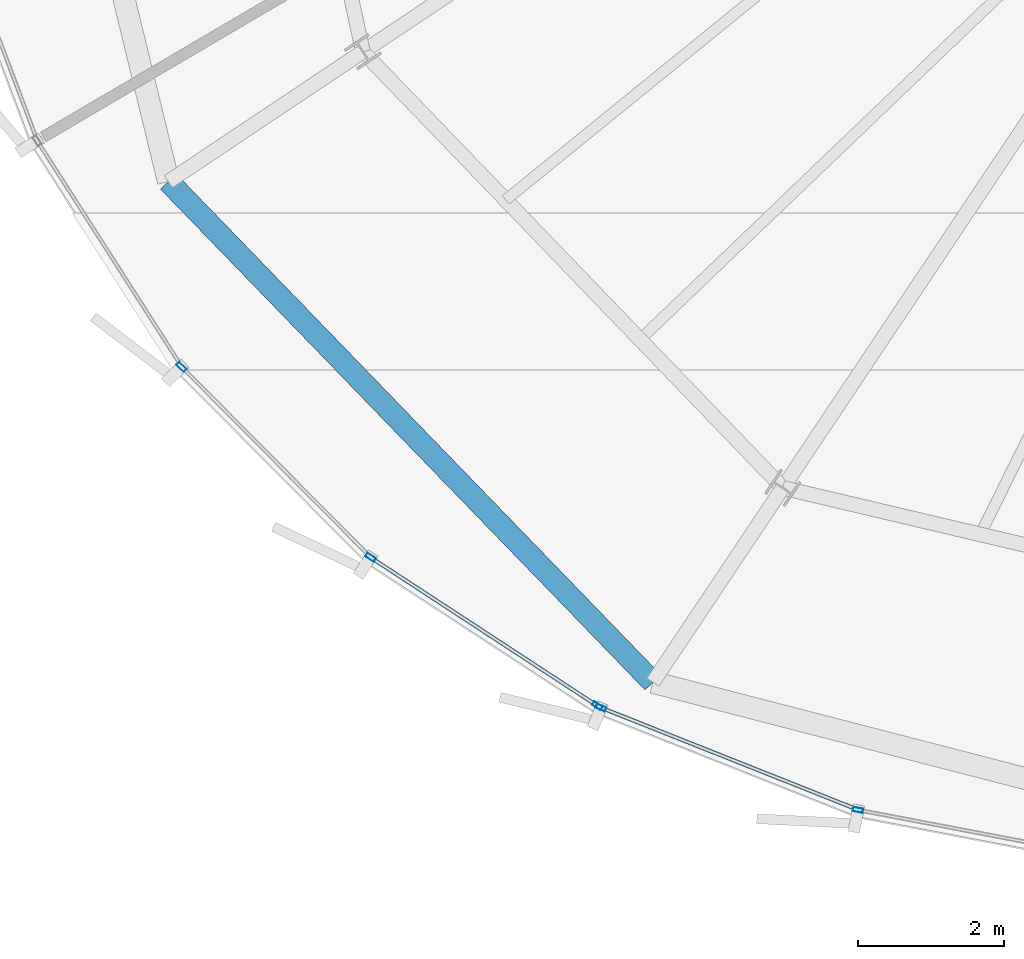
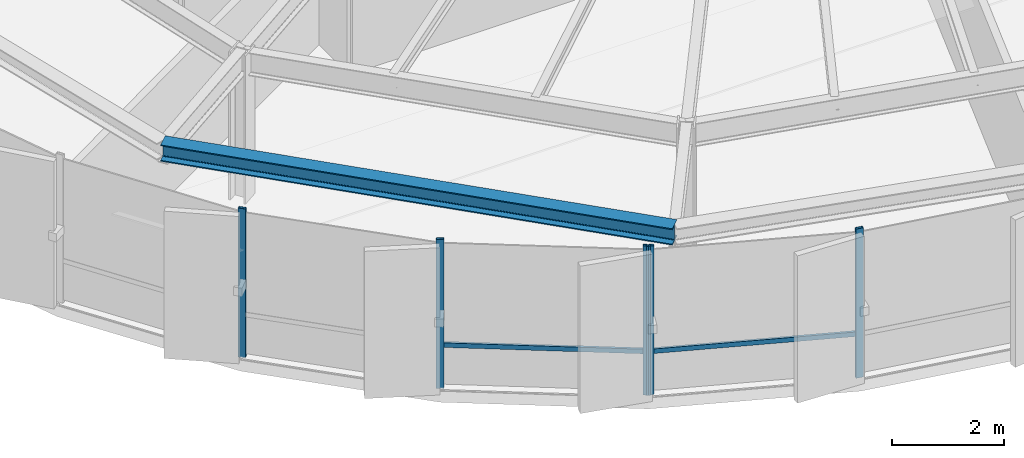
# One storey, part 2 of 34: 7 members, 1 beam, 2 elements without a shape of their own.
"""IFC4 building model written with IfcOpenShell, lengths in metres."""

from ifc_helpers import new_model, si_unit, direction, frame, origin, origin_2d, place, context, subcontext, project, spatial, hollow_rectangle, i_section, extrude, source, transform, mapped, material, layer, layer_set, material_profile, profile_set, type_object, element, aggregate, save


model = new_model("IFC4")

# Units and contexts
model_context = context("Model", 3, precision=1e-05, world=origin(), true_north=direction((0.0, 1.0)))
body_context = subcontext(model_context, "Body", "Model", "MODEL_VIEW")
ifc_project = project(units=[si_unit("LENGTHUNIT", "METRE"), si_unit("AREAUNIT", "SQUARE_METRE"), si_unit("VOLUMEUNIT", "CUBIC_METRE"), si_unit("PLANEANGLEUNIT", "RADIAN"), si_unit("MASSUNIT", "GRAM", prefix="KILO"), si_unit("THERMODYNAMICTEMPERATUREUNIT", "KELVIN")], contexts=[model_context])

# Site, building, storey
site_placement = place(None, origin())
site = spatial("IfcSite", under=ifc_project, at=site_placement, CompositionType="ELEMENT")
building_placement = place(site_placement, origin())
building = spatial("IfcBuilding", under=site, at=building_placement, Name="Kethvar Cultural Tower", CompositionType="ELEMENT")
storey_placement = place(building_placement, frame((0.0, 0.0, 190.39990234375)))
storey = spatial("IfcBuildingStorey", under=building, at=storey_placement, Name="L49", CompositionType="ELEMENT", Elevation=190.39990234375)

# Beam
ifc_material_1 = material(Name="Steel S355J2", Category="steel")
ifc_material_profile_1 = material_profile(ifc_material_1, i_section(OverallWidth=0.300048828125, OverallDepth=0.360107421875, WebThickness=0.012451171875, FlangeThickness=0.0224609375, FilletRadius=0.027099609375, at=origin_2d()), Name="Steel S355J2 — HEB360")
ifc_profile_set_1 = profile_set([ifc_material_profile_1], Name="Steel S355J2 — HEB360")
beam_type = type_object("IfcBeamType", Name="BM-SP360", PredefinedType="SPANDREL", material=ifc_profile_set_1)
shared_shape_1 = source(origin(), body_context, "Body", "SweptSolid", [
    extrude(i_section(OverallWidth=0.300048828125, OverallDepth=0.360107421875, WebThickness=0.012451171875, FlangeThickness=0.0224609375, FilletRadius=0.027099609375, at=origin_2d()), origin(), (0.0, 0.0, 1.0), 9.531982421875),
])
beam_placement = place(storey_placement, frame((26.556884765625, 14.27392578125, 3.078125), z_axis=(0.695343772208, -0.71867728394, 0.0), x_axis=(0.71867728394, 0.695343772208, 0.0)))
element("IfcBeam", 1, at=beam_placement, inside=storey, type_object=beam_type, Name="L49 Perimeter Spandrel Beam SP-10", PredefinedType="SPANDREL", context=body_context, shape_type="MappedRepresentation", body=[
    mapped(shared_shape_1, transform((0.0, 0.0, 0.0), scale=1.0)),
])

# Curtain wall, members
ifc_material_2 = material(Name="Aluminium 6063-T6", Category="aluminium")
ifc_layer = layer(ifc_material_2, 0.179931640625, Name="Aluminium 6063-T6", Category="aluminium")
ifc_layer_set = layer_set([ifc_layer], Name="Aluminium 6063-T6 (180 mm)")
curtain_wall_type = type_object("IfcCurtainWallType", Name="CW-SYS-04-Z34", PredefinedType="NOTDEFINED", material=ifc_layer_set)
curtain_wall_1_placement = place(storey_placement, origin())
curtain_wall_1 = element("IfcCurtainWall", 2, at=curtain_wall_1_placement, inside=storey, type_object=curtain_wall_type, Name="L49 Curtain Wall Run 04", PredefinedType="NOTDEFINED")
ifc_material_profile_2 = material_profile(ifc_material_2, hollow_rectangle(XDim=0.06005859375, YDim=0.139892578125, WallThickness=0.0048828125, at=origin_2d()), Name="Aluminium 6063-T6 — RHS140x60x5")
ifc_profile_set_2 = profile_set([ifc_material_profile_2], Name="Aluminium 6063-T6 — RHS140x60x5")
member_type_1 = type_object("IfcMemberType", Name="CW-SYS-04-Z34-MUL", PredefinedType="MULLION", material=ifc_profile_set_2)
shared_shape_2 = source(origin(), body_context, "Body", "SweptSolid", [
    extrude(hollow_rectangle(XDim=0.06005859375, YDim=0.139892578125, WallThickness=0.0048828125, at=origin_2d()), origin(), (0.0, 0.0, 1.0), 3.260009765625),
])
member_1_placement = place(storey_placement, frame((26.736083984375, 11.740478515625, 0.0), z_axis=(0.0, 0.0, 1.0), x_axis=(0.709669115115, 0.70453512833, 0.0)))
member_1 = element("IfcMember", 3, at=member_1_placement, type_object=member_type_1, Name="CW-L49-R04 Mullion 5", PredefinedType="MULLION", context=body_context, shape_type="MappedRepresentation", body=[
    mapped(shared_shape_2, transform((0.0, 0.0, 0.0), scale=1.0)),
])
member_2_placement = place(storey_placement, frame((29.3212890625, 9.133056640625, 0.0), z_axis=(0.0, 0.0, 1.0), x_axis=(0.547577827701, 0.83675475655, 0.0)))
member_2 = element("IfcMember", 4, at=member_2_placement, type_object=member_type_1, Name="CW-L49-R04 Mullion 6", PredefinedType="MULLION", context=body_context, shape_type="MappedRepresentation", body=[
    mapped(shared_shape_2, transform((0.0, 0.0, 0.0), scale=1.0)),
])
member_3_placement = place(storey_placement, frame((32.424560546875, 7.102294921875, 0.0), z_axis=(0.0, 0.0, 1.0), x_axis=(0.547577827701, 0.83675475655, 0.0)))
member_3 = element("IfcMember", 5, at=member_3_placement, type_object=member_type_1, Name="CW-L49-R04 Mullion 7", PredefinedType="MULLION", context=body_context, shape_type="MappedRepresentation", body=[
    mapped(shared_shape_2, transform((0.0, 0.0, 0.0), scale=1.0)),
])

curtain_wall_2_placement = place(storey_placement, origin())
curtain_wall_2 = element("IfcCurtainWall", 6, at=curtain_wall_2_placement, inside=storey, type_object=curtain_wall_type, Name="L49 Curtain Wall Run 05", PredefinedType="NOTDEFINED")
member_4_placement = place(storey_placement, frame((32.473876953125, 7.07666015625, 0.0), z_axis=(0.0, 0.0, 1.0), x_axis=(0.369211554031, 0.929345376257, 0.0)))
member_4 = element("IfcMember", 7, at=member_4_placement, type_object=member_type_1, Name="CW-L49-R05 Mullion 1", PredefinedType="MULLION", context=body_context, shape_type="MappedRepresentation", body=[
    mapped(shared_shape_2, transform((0.0, 0.0, 0.0), scale=1.0)),
])
member_5_placement = place(storey_placement, frame((35.9912109375, 5.677001953125, 0.0), z_axis=(0.0, 0.0, 1.0), x_axis=(0.187329881889, 0.982297060645, 0.0)))
member_5 = element("IfcMember", 8, at=member_5_placement, type_object=member_type_1, Name="CW-L49-R05 Mullion 2", PredefinedType="MULLION", context=body_context, shape_type="MappedRepresentation", body=[
    mapped(shared_shape_2, transform((0.0, 0.0, 0.0), scale=1.0)),
])
ifc_material_profile_3 = material_profile(ifc_material_2, hollow_rectangle(XDim=0.050048828125, YDim=0.10009765625, WallThickness=0.00390625, at=origin_2d()), Name="Aluminium 6063-T6 — RHS100x50x4")
ifc_profile_set_3 = profile_set([ifc_material_profile_3], Name="Aluminium 6063-T6 — RHS100x50x4")
member_type_2 = type_object("IfcMemberType", Name="CW-SYS-04-Z34-TRN", PredefinedType="USERDEFINED", material=ifc_profile_set_3)
shared_shape_3 = source(origin(), body_context, "Body", "SweptSolid", [
    extrude(hollow_rectangle(XDim=0.050048828125, YDim=0.10009765625, WallThickness=0.00390625, at=origin_2d()), origin(), (0.0, 0.0, 1.0), 3.759033203125),
])
member_6_placement = place(storey_placement, frame((32.477783203125, 7.0751953125, 0.9501953125), z_axis=(0.929338653754, -0.369228474848, 0.0), x_axis=(0.369228474848, 0.929338653754, 0.0)))
member_6 = element("IfcMember", 9, at=member_6_placement, type_object=member_type_2, Name="CW-L49-R05 Transom 1", ObjectType="TRANSOM", PredefinedType="USERDEFINED", context=body_context, shape_type="MappedRepresentation", body=[
    mapped(shared_shape_3, transform((0.0, 0.0, 0.0), scale=1.0)),
])
aggregate(curtain_wall_2, [member_4, member_5, member_6])

# Member
shared_shape_4 = source(origin(), body_context, "Body", "SweptSolid", [
    extrude(hollow_rectangle(XDim=0.050048828125, YDim=0.10009765625, WallThickness=0.00390625, at=origin_2d()), origin(), (0.0, 0.0, 1.0), 3.661376953125),
])
member_7_placement = place(storey_placement, frame((29.357421875, 9.109375, 0.9501953125), z_axis=(0.836759287643, -0.547570903668, 0.0), x_axis=(0.547570903668, 0.836759287643, 0.0)))
member_7 = element("IfcMember", 10, at=member_7_placement, type_object=member_type_2, Name="CW-L49-R04 Transom 6", ObjectType="TRANSOM", PredefinedType="USERDEFINED", context=body_context, shape_type="MappedRepresentation", body=[
    mapped(shared_shape_4, transform((0.0, 0.0, 0.0), scale=1.0)),
])

aggregate(curtain_wall_1, [member_1, member_2, member_3, member_7])

save(model, "model.ifc")
